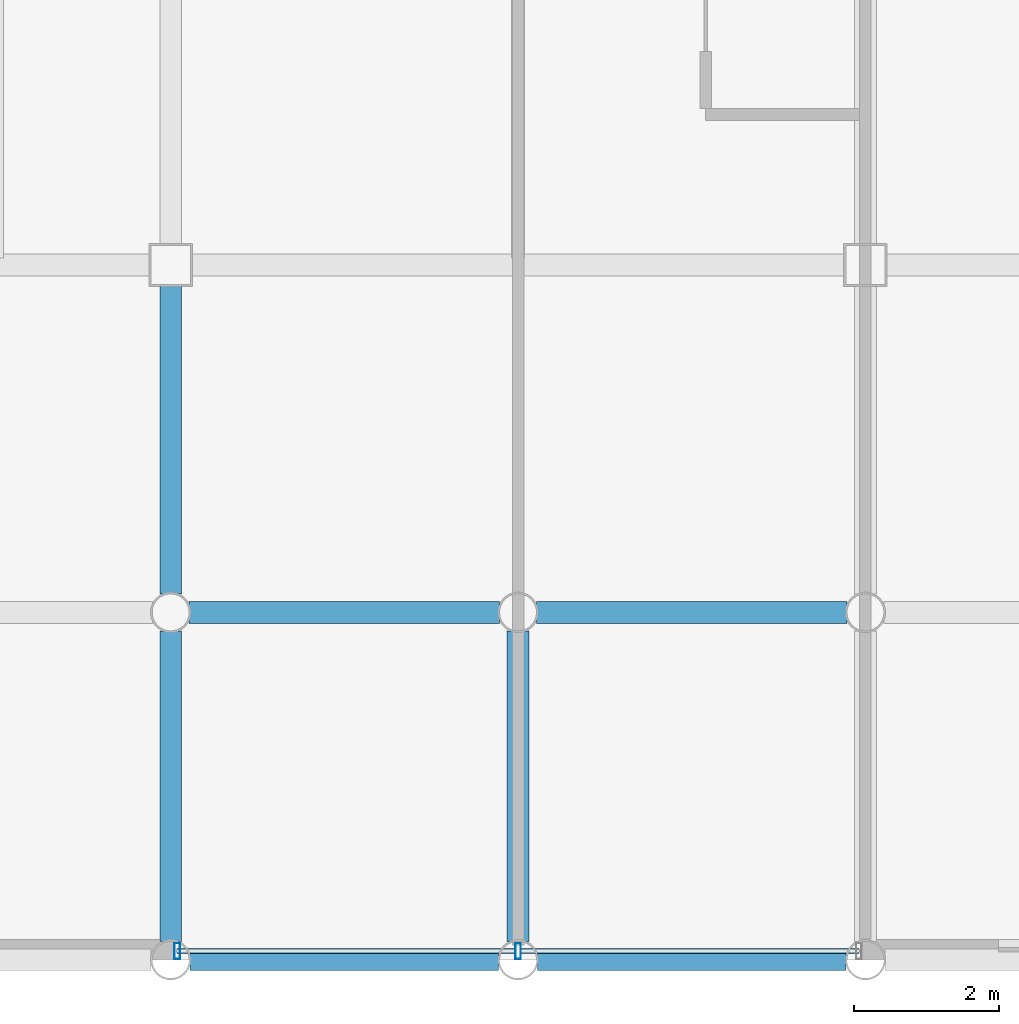
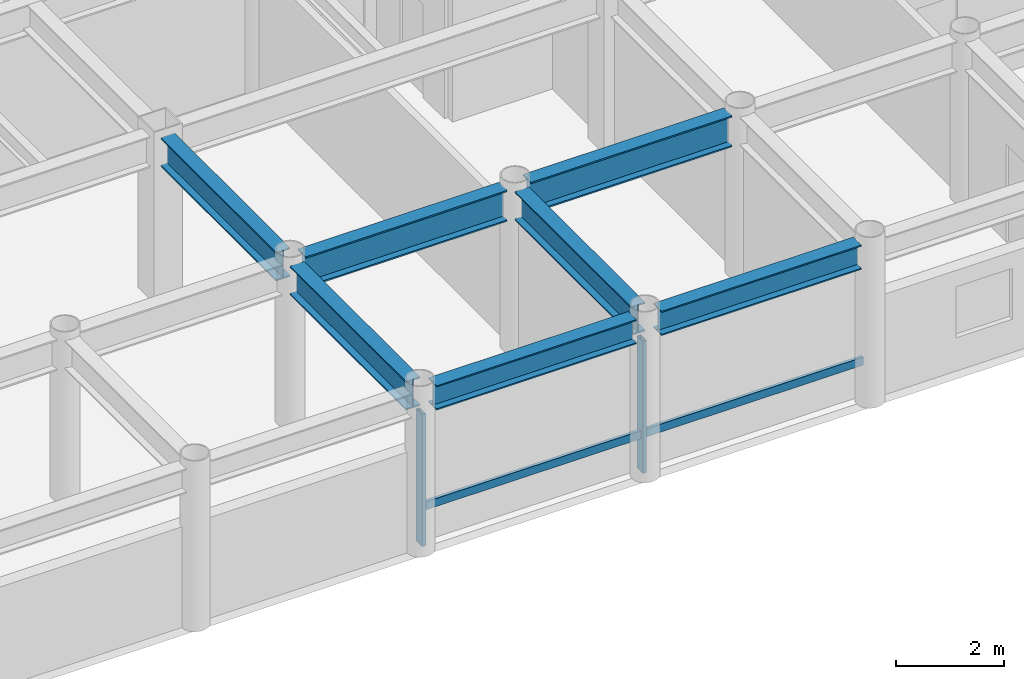
# One storey, part 4 of 21: 7 beams, 4 members, 1 element without a shape of its own.
"""IFC4 building model written with IfcOpenShell, lengths in metres."""

from ifc_helpers import new_model, si_unit, direction, frame, origin, origin_2d, place, context, subcontext, project, spatial, hollow_rectangle, i_section, extrude, material, layer, layer_set, material_profile, profile_set, type_object, element, aggregate, save


model = new_model("IFC4")

# Units and contexts
model_context = context("Model", 3, precision=1e-05, world=origin(), true_north=direction((0.0, 1.0)))
body_context = subcontext(model_context, "Body", "Model", "MODEL_VIEW")
ifc_project = project(units=[si_unit("LENGTHUNIT", "METRE"), si_unit("AREAUNIT", "SQUARE_METRE"), si_unit("VOLUMEUNIT", "CUBIC_METRE"), si_unit("PLANEANGLEUNIT", "RADIAN"), si_unit("MASSUNIT", "GRAM", prefix="KILO")], contexts=[model_context])

# Site, building, storey
site_placement = place(None, origin())
site = spatial("IfcSite", under=ifc_project, at=site_placement, CompositionType="ELEMENT")
building_placement = place(site_placement, origin())
building = spatial("IfcBuilding", under=site, at=building_placement, Name="Kallvorn Hotel Tower", CompositionType="ELEMENT")
storey_placement = place(building_placement, frame((0.0, 0.0, 210.75)))
storey = spatial("IfcBuildingStorey", under=building, at=storey_placement, Name="L52", CompositionType="ELEMENT", Elevation=210.75)

# Beams
ifc_material_1 = material(Name="Structural steel S355JR", Category="steel")
ifc_material_profile_1 = material_profile(ifc_material_1, i_section(OverallWidth=0.300048828125, OverallDepth=0.550048828125, WebThickness=0.014892578125, FlangeThickness=0.029052734375, at=origin_2d()), Name="HE 550 B")
ifc_profile_set_1 = profile_set([ifc_material_profile_1], Name="Structural steel S355JR")
beam_type_1 = type_object("IfcBeamType", Name="BM_HE550B", PredefinedType="SPANDREL", material=ifc_profile_set_1)
for number, where, z_axis, x_axis, name in (
    (1, (-4.530517578125, -24.0, 3.39501953125), (1.0, 0.0, 0.0), (0.0, 1.0, 0.0), "L53 Perimeter Spandrel 155"),
    (2, (0.26953125, -24.0, 3.39501953125), (1.0, 0.0, 0.0), (0.0, 1.0, 0.0), "L53 Perimeter Spandrel 156"),
):
    element("IfcBeam", number, at=place(storey_placement, frame(where, z_axis=z_axis, x_axis=x_axis)), inside=storey, type_object=beam_type_1, Name=name, PredefinedType="SPANDREL", context=body_context, shape_type="SweptSolid", body=[
        extrude(i_section(OverallWidth=0.300048828125, OverallDepth=0.550048828125, WebThickness=0.014892578125, FlangeThickness=0.029052734375, at=origin_2d()), origin(), (0.0, 0.0, 1.0), 4.260986328125),
    ])
ifc_material_2 = material(Name="Structural steel S355JR", Category="steel")
ifc_material_profile_2 = material_profile(ifc_material_2, i_section(OverallWidth=0.300048828125, OverallDepth=0.64990234375, WebThickness=0.01611328125, FlangeThickness=0.031005859375, at=origin_2d()), Name="HE 650 B")
ifc_profile_set_2 = profile_set([ifc_material_profile_2], Name="Structural steel S355JR")
beam_type_2 = type_object("IfcBeamType", Name="BM_HE650B", PredefinedType="BEAM", material=ifc_profile_set_2)
beam_1_placement = place(storey_placement, frame((-4.800048828125, -23.74560546875, 3.344970703125), z_axis=(0.0, 1.0, 0.0), x_axis=(-1.0, 0.0, 0.0)))
element("IfcBeam", 3, at=beam_1_placement, inside=storey, type_object=beam_type_2, Name="L53 Primary Y-Girder 105", PredefinedType="BEAM", context=body_context, shape_type="SweptSolid", body=[
    extrude(i_section(OverallWidth=0.300048828125, OverallDepth=0.64990234375, WebThickness=0.01611328125, FlangeThickness=0.031005859375, at=origin_2d()), origin(), (0.0, 0.0, 1.0), 4.291015625),
])
beam_2_placement = place(storey_placement, frame((-4.800048828125, -18.945556640625, 3.344970703125), z_axis=(0.0, 1.0, 0.0), x_axis=(-1.0, 0.0, 0.0)))
element("IfcBeam", 4, at=beam_2_placement, inside=storey, type_object=beam_type_2, Name="L53 Primary Y-Girder 106", PredefinedType="BEAM", context=body_context, shape_type="SweptSolid", body=[
    extrude(i_section(OverallWidth=0.300048828125, OverallDepth=0.64990234375, WebThickness=0.01611328125, FlangeThickness=0.031005859375, at=origin_2d()), origin(), (0.0, 0.0, 1.0), 4.2705078125),
])
beam_3_placement = place(storey_placement, frame((0.0, -23.74560546875, 3.344970703125), z_axis=(0.0, 1.0, 0.0), x_axis=(-1.0, 0.0, 0.0)))
element("IfcBeam", 5, at=beam_3_placement, inside=storey, type_object=beam_type_2, Name="L53 Primary Y-Girder 110", PredefinedType="BEAM", context=body_context, shape_type="SweptSolid", body=[
    extrude(i_section(OverallWidth=0.300048828125, OverallDepth=0.64990234375, WebThickness=0.01611328125, FlangeThickness=0.031005859375, at=origin_2d()), origin(), (0.0, 0.0, 1.0), 4.291015625),
])
ifc_material_3 = material(Name="Structural steel S355JR", Category="steel")
ifc_material_profile_3 = material_profile(ifc_material_3, i_section(OverallWidth=0.300048828125, OverallDepth=0.699951171875, WebThickness=0.01708984375, FlangeThickness=0.031982421875, at=origin_2d()), Name="HE 700 B")
ifc_profile_set_3 = profile_set([ifc_material_profile_3], Name="Structural steel S355JR")
beam_type_3 = type_object("IfcBeamType", Name="BM_HE700B", PredefinedType="BEAM", material=ifc_profile_set_3)
for number, where, z_axis, x_axis, name in (
    (6, (-4.54541015625, -19.199951171875, 3.320068359375), (1.0, 0.0, 0.0), (0.0, 1.0, 0.0), "L53 Primary X-Girder 06"),
    (7, (0.25439453125, -19.199951171875, 3.320068359375), (1.0, 0.0, 0.0), (0.0, 1.0, 0.0), "L53 Primary X-Girder 07"),
):
    element("IfcBeam", number, at=place(storey_placement, frame(where, z_axis=z_axis, x_axis=x_axis)), inside=storey, type_object=beam_type_3, Name=name, PredefinedType="BEAM", context=body_context, shape_type="SweptSolid", body=[
        extrude(i_section(OverallWidth=0.300048828125, OverallDepth=0.699951171875, WebThickness=0.01708984375, FlangeThickness=0.031982421875, at=origin_2d()), origin(), (0.0, 0.0, 1.0), 4.291015625),
    ])

# Curtain wall, members
ifc_material_4 = material(Name="Thermally broken black-anodised aluminium AA 6063-T6", Category="aluminium")
ifc_layer = layer(ifc_material_4, 0.22998046875)
ifc_layer_set = layer_set([ifc_layer], Name="CW_SYS_5_HOTEL_HIGH")
curtain_wall_type = type_object("IfcCurtainWallType", Name="CW_SYS_5_HOTEL_HIGH", PredefinedType="USERDEFINED", material=ifc_layer_set)
curtain_wall_placement = place(storey_placement, origin())
curtain_wall = element("IfcCurtainWall", 8, at=curtain_wall_placement, inside=storey, type_object=curtain_wall_type, Name="L52 Dark-Glass Curtain Wall CW-L52-SC", ObjectType="UNITISED CURTAIN WALL", PredefinedType="USERDEFINED")
ifc_material_5 = material(Name="Thermally broken black-anodised aluminium AA 6063-T6", Category="aluminium")
ifc_material_profile_4 = material_profile(ifc_material_5, hollow_rectangle(XDim=0.080078125, YDim=0.219970703125, WallThickness=0.0048828125, at=origin_2d()), Name="MUL 220x80")
ifc_profile_set_4 = profile_set([ifc_material_profile_4], Name="Thermally broken black-anodised aluminium AA 6063-T6")
member_type_1 = type_object("IfcMemberType", Name="CW_MULLION_220x80", PredefinedType="MULLION", material=ifc_profile_set_4)
member_1_placement = place(storey_placement, frame((-4.7099609375, -23.8798828125, 0.02001953125), z_axis=(0.0, 0.0, 1.0), x_axis=(1.0, 0.0, 0.0)))
member_1 = element("IfcMember", 9, at=member_1_placement, type_object=member_type_1, Name="CW-L52-SC Mullion 00", PredefinedType="MULLION", context=body_context, shape_type="SweptSolid", body=[
    extrude(hollow_rectangle(XDim=0.080078125, YDim=0.219970703125, WallThickness=0.0048828125, at=origin_2d()), origin(), (0.0, 0.0, 1.0), 2.97998046875),
])
member_2_placement = place(storey_placement, frame((0.0, -23.8798828125, 0.02001953125), z_axis=(0.0, 0.0, 1.0), x_axis=(1.0, 0.0, 0.0)))
member_2 = element("IfcMember", 10, at=member_2_placement, type_object=member_type_1, Name="CW-L52-SC Mullion 01", PredefinedType="MULLION", context=body_context, shape_type="SweptSolid", body=[
    extrude(hollow_rectangle(XDim=0.080078125, YDim=0.219970703125, WallThickness=0.0048828125, at=origin_2d()), origin(), (0.0, 0.0, 1.0), 2.97998046875),
])
ifc_material_6 = material(Name="Thermally broken black-anodised aluminium AA 6063-T6", Category="aluminium")
ifc_material_profile_5 = material_profile(ifc_material_6, hollow_rectangle(XDim=0.070068359375, YDim=0.179931640625, WallThickness=0.00390625, at=origin_2d()), Name="TRN 180x70")
ifc_profile_set_5 = profile_set([ifc_material_profile_5], Name="Thermally broken black-anodised aluminium AA 6063-T6")
member_type_2 = type_object("IfcMemberType", Name="CW_TRANSOM_180x70", PredefinedType="USERDEFINED", material=ifc_profile_set_5)
member_3_placement = place(storey_placement, frame((-4.7099609375, -23.8798828125, 0.85009765625), z_axis=(1.0, 0.0, 0.0), x_axis=(0.0, 1.0, 0.0)))
member_3 = element("IfcMember", 11, at=member_3_placement, type_object=member_type_2, Name="CW-L52-SC Transom 00M", ObjectType="TRANSOM", PredefinedType="USERDEFINED", context=body_context, shape_type="SweptSolid", body=[
    extrude(hollow_rectangle(XDim=0.070068359375, YDim=0.179931640625, WallThickness=0.00390625, at=origin_2d()), origin(), (0.0, 0.0, 1.0), 4.669921875),
])
member_4_placement = place(storey_placement, frame((0.0400390625, -23.8798828125, 0.85009765625), z_axis=(1.0, 0.0, 0.0), x_axis=(0.0, 1.0, 0.0)))
member_4 = element("IfcMember", 12, at=member_4_placement, type_object=member_type_2, Name="CW-L52-SC Transom 01M", ObjectType="TRANSOM", PredefinedType="USERDEFINED", context=body_context, shape_type="SweptSolid", body=[
    extrude(hollow_rectangle(XDim=0.070068359375, YDim=0.179931640625, WallThickness=0.00390625, at=origin_2d()), origin(), (0.0, 0.0, 1.0), 4.669921875),
])
aggregate(curtain_wall, [member_1, member_2, member_3, member_4])

save(model, "model.ifc")
